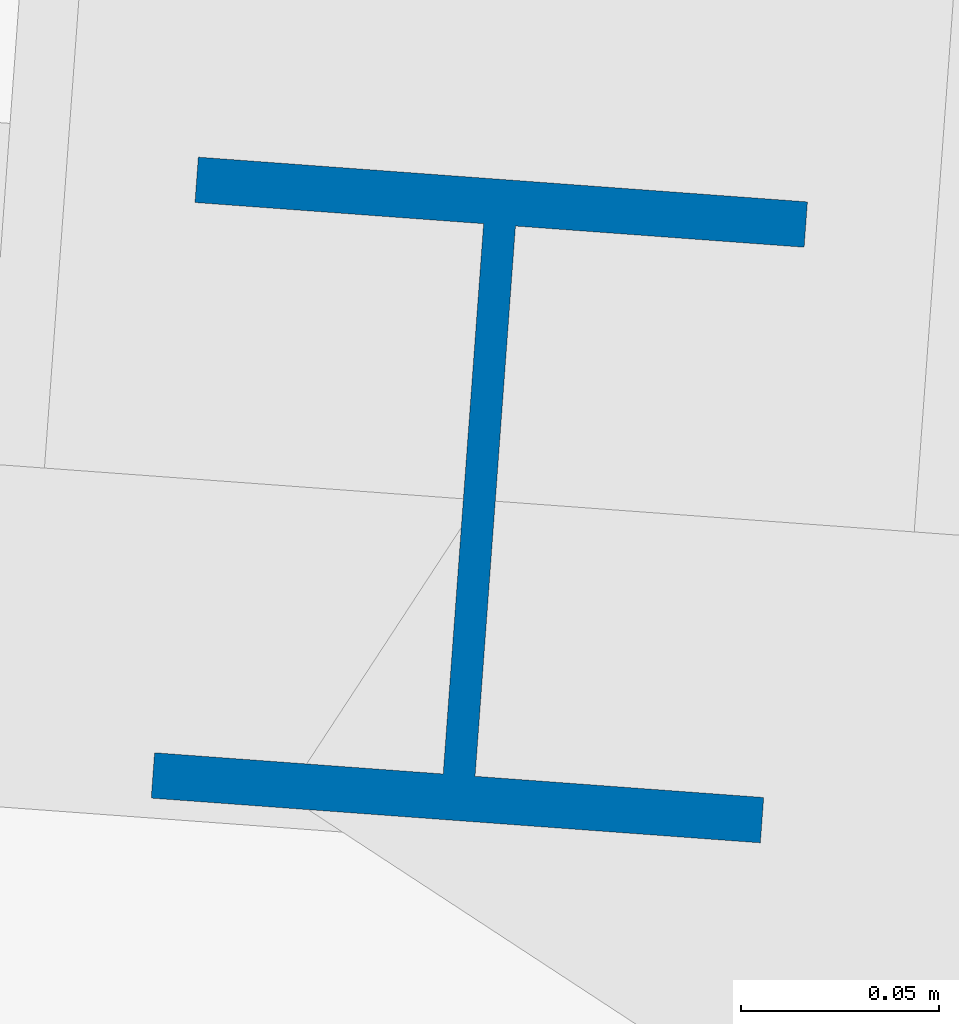
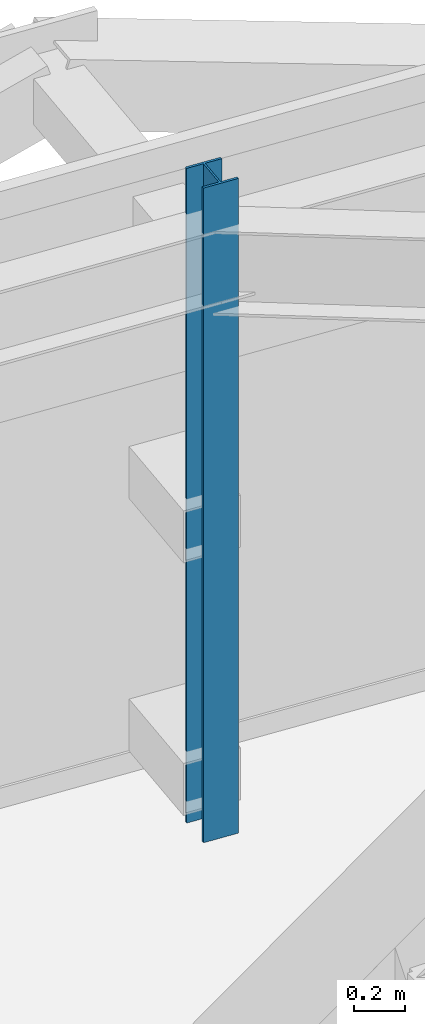
# One storey, part 8 of 39: 1 column.
"""IFC4 building model written with IfcOpenShell, lengths in metres."""

from ifc_helpers import new_model, si_unit, direction, frame, origin, origin_2d, place, context, subcontext, project, spatial, i_section, extrude, source, transform, mapped, material, material_profile, profile_set, type_object, element, save


model = new_model("IFC4")

# Units and contexts
model_context = context("Model", 3, precision=1e-05, world=origin(), true_north=direction((0.0, 1.0)))
body_context = subcontext(model_context, "Body", "Model", "MODEL_VIEW")
ifc_project = project(units=[si_unit("LENGTHUNIT", "METRE"), si_unit("AREAUNIT", "SQUARE_METRE"), si_unit("VOLUMEUNIT", "CUBIC_METRE"), si_unit("PLANEANGLEUNIT", "RADIAN"), si_unit("MASSUNIT", "GRAM", prefix="KILO")], contexts=[model_context])

# Site, building, storey
site_placement = place(None, origin())
site = spatial("IfcSite", under=ifc_project, at=site_placement, CompositionType="ELEMENT")
building_placement = place(site_placement, origin())
building = spatial("IfcBuilding", under=site, at=building_placement, Name="Taldren Reach Tower", CompositionType="ELEMENT")
storey_placement = place(building_placement, frame((0.0, 0.0, 230.300048828125)))
storey = spatial("IfcBuildingStorey", under=building, at=storey_placement, Name="L70", CompositionType="ELEMENT", Elevation=230.300048828125)

# Column
ifc_material = material(Name="Steel Gr 350 (350PLUS)", Category="steel")
ifc_material_profile = material_profile(ifc_material, i_section(OverallWidth=0.154052734375, OverallDepth=0.162109375, WebThickness=0.008056640625, FlangeThickness=0.011474609375, at=origin_2d()), Name="150UC37.2")
ifc_profile_set = profile_set([ifc_material_profile], Name="Steel Gr 350 (350PLUS)")
column_type = type_object("IfcColumnType", Name="COL-UC150", PredefinedType="COLUMN", material=ifc_profile_set)
shared_shape = source(origin(), body_context, "Body", "SweptSolid", [
    extrude(i_section(OverallWidth=0.154052734375, OverallDepth=0.162109375, WebThickness=0.008056640625, FlangeThickness=0.011474609375, at=origin_2d()), origin(), (0.0, 0.0, 1.0), 3.14990234375),
])
column_placement = place(storey_placement, frame((47.199462890625, 34.487548828125, 0.0), z_axis=(0.0, 0.0, 1.0), x_axis=(0.997314477224, -0.073238197128, 0.0)))
element("IfcColumn", 1, at=column_placement, inside=storey, type_object=column_type, Name="Block B5 perimeter column N5 L70", PredefinedType="COLUMN", context=body_context, shape_type="MappedRepresentation", body=[
    mapped(shared_shape, transform((0.0, 0.0, 0.0), scale=1.0)),
])

save(model, "model.ifc")
